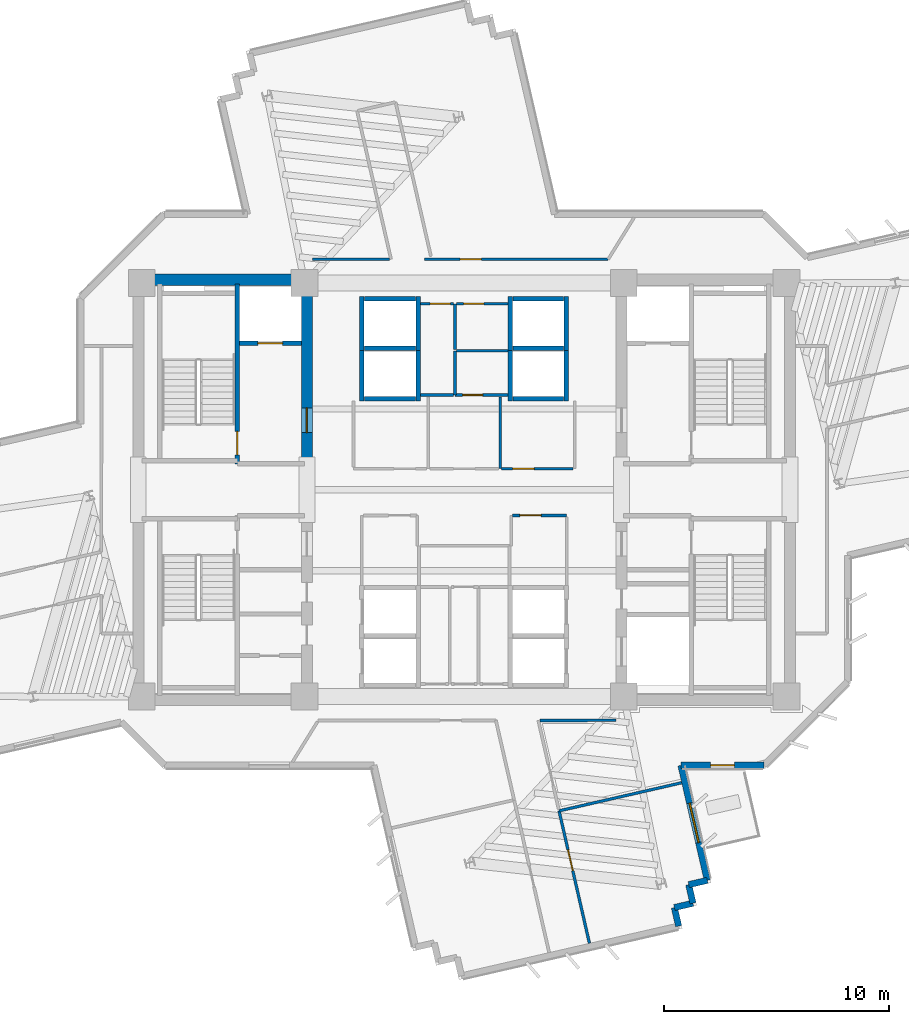
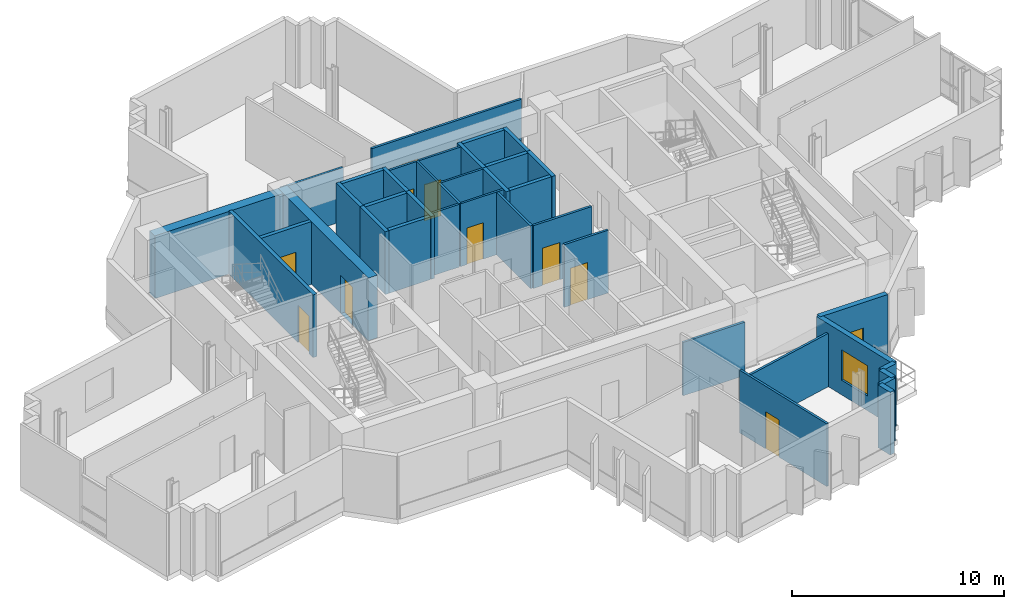
# One storey, part 8 of 13: 39 walls, 11 doors, 1 window, 12 openings.
"""IFC4 building model written with IfcOpenShell, lengths in metres."""

from ifc_helpers import new_model, si_unit, direction, frame, frame_2d, origin, place, context, subcontext, project, spatial, rectangle, extrude, source, transform, mapped, material, layer, layer_set, type_object, element, fill, save


model = new_model("IFC4")

# Units and contexts
model_context = context("Model", 3, precision=1e-05, world=origin(), true_north=direction((0.0, 1.0)))
body_context = subcontext(model_context, "Body", "Model", "MODEL_VIEW")
ifc_project = project(units=[si_unit("LENGTHUNIT", "METRE"), si_unit("AREAUNIT", "SQUARE_METRE"), si_unit("VOLUMEUNIT", "CUBIC_METRE"), si_unit("PLANEANGLEUNIT", "RADIAN"), si_unit("MASSUNIT", "GRAM", prefix="KILO")], contexts=[model_context])

# Site, building, storey
site_placement = place(None, origin())
site = spatial("IfcSite", under=ifc_project, at=site_placement, CompositionType="ELEMENT")
building_placement = place(site_placement, origin())
building = spatial("IfcBuilding", under=site, at=building_placement, Name="Zahravan Cultural Tower", CompositionType="ELEMENT")
storey_placement = place(building_placement, frame((0.0, 0.0, 178.5)))
storey = spatial("IfcBuildingStorey", under=building, at=storey_placement, Name="L41", CompositionType="ELEMENT", Elevation=178.5)

# Wall, opening, door
ifc_material_1 = material(Name="Concrete C60/75", Category="concrete")
ifc_layer_1 = layer(ifc_material_1, 0.5)
ifc_layer_set_1 = layer_set([ifc_layer_1], Name="Concrete C60/75")
wall_type_1 = type_object("IfcWallType", Name="CW-SHEAR-500-C60", PredefinedType="SHEAR", material=ifc_layer_set_1)
wall_1_placement = place(storey_placement, frame((29.0, 28.050048828125, 0.0), z_axis=(0.0, 0.0, 1.0), x_axis=(0.0, 1.0, 0.0)))
wall_1 = element("IfcWall", 1, at=wall_1_placement, inside=storey, type_object=wall_type_1, Name="L41 Core Shear Wall CW-W-EN-L41", PredefinedType="SHEAR", context=body_context, shape_type="SweptSolid", body=[
    extrude(rectangle(XDim=8.550048828125, YDim=0.5, at=frame_2d((4.27490234375, 0.0))), origin(), (0.0, 0.0, 1.0), 3.6201171875),
])
opening_1_placement = place(wall_1_placement, frame((1.5, 0.0, 0.0)))
opening_1 = element("IfcOpeningElement", 2, at=opening_1_placement, cuts=wall_1, Name="Opening D-L41-05", PredefinedType="OPENING", context=body_context, shape_type="SweptSolid", body=[
    extrude(rectangle(XDim=1.10009765625, YDim=2.199951171875, at=frame_2d((0.550048828125, 1.10009765625))), frame((0.0, 0.260009765625, 0.0), z_axis=(0.0, -1.0, 0.0), x_axis=(1.0, 0.0, 0.0)), (0.0, 0.0, 1.0), 0.52001953125),
])
ifc_material_2 = material(Name="Steel ASTM A572 Grade 50", Category="steel")
door_type_1 = type_object("IfcDoorType", Name="DR-LOBBY-1100", OperationType="NOTDEFINED", PredefinedType="DOOR", material=ifc_material_2)
shared_shape_1 = source(origin(), body_context, "Body", "SweptSolid", [
    extrude(rectangle(XDim=1.10009765625, YDim=2.199951171875, at=frame_2d((0.550048828125, 1.10009765625))), frame((0.0, 0.02490234375, 0.0), z_axis=(0.0, -1.0, 0.0), x_axis=(1.0, 0.0, 0.0)), (0.0, 0.0, 1.0), 0.050048828125),
])
door_1_placement = place(opening_1_placement, origin())
door_1 = element("IfcDoor", 3, at=door_1_placement, inside=storey, type_object=door_type_1, Name="L41 Door D-L41-05", OperationType="SINGLE_SWING_LEFT", OverallHeight=2.199951171875, OverallWidth=1.10009765625, PredefinedType="DOOR", context=body_context, shape_type="MappedRepresentation", body=[
    mapped(shared_shape_1, transform((0.0, 0.0, 0.0), x_axis=(1.0, 0.0, 0.0), y_axis=(0.0, 1.0, 0.0), z_axis=(0.0, 0.0, 1.0), scale=1.0)),
])
fill(opening_1, door_1)

ifc_material_3 = material(Name="Precast concrete C40/50", Category="concrete")
ifc_layer_2 = layer(ifc_material_3, 0.280029296875)
ifc_layer_set_2 = layer_set([ifc_layer_2], Name="Precast concrete C40/50")
wall_type_2 = type_object("IfcWallType", Name="EW-TC-280", PredefinedType="SOLIDWALL", material=ifc_layer_set_2)
wall_2_placement = place(storey_placement, frame((49.342041015625, 14.739990234375, 0.0), z_axis=(0.0, 0.0, 1.0), x_axis=(-1.0, 0.0, 0.0)))
wall_2 = element("IfcWall", 4, at=wall_2_placement, inside=storey, type_object=wall_type_2, Name="L41 Exterior Masonry Frame Wall 13", PredefinedType="SOLIDWALL", context=body_context, shape_type="SweptSolid", body=[
    extrude(rectangle(XDim=3.696533203125, YDim=0.280029296875, at=frame_2d((1.84814453125, 0.0))), origin(), (0.0, 0.0, 1.0), 3.6201171875),
])
opening_2_placement = place(wall_2_placement, frame((1.322998046875, 0.0, 0.0)))
opening_2 = element("IfcOpeningElement", 5, at=opening_2_placement, cuts=wall_2, Name="Opening D-L41-TR-SE", PredefinedType="OPENING", context=body_context, shape_type="SweptSolid", body=[
    extrude(rectangle(XDim=1.050048828125, YDim=2.14990234375, at=frame_2d((0.52490234375, 1.074951171875))), frame((0.0, 0.14990234375, 0.0), z_axis=(0.0, -1.0, 0.0), x_axis=(1.0, 0.0, 0.0)), (0.0, 0.0, 1.0), 0.300048828125),
])
ifc_material_4 = material(Name="Anodised bronze-aluminium mullion", Category="aluminium")
door_type_2 = type_object("IfcDoorType", Name="DR-TERR-1050", OperationType="NOTDEFINED", PredefinedType="DOOR", material=ifc_material_4)
shared_shape_2 = source(origin(), body_context, "Body", "SweptSolid", [
    extrude(rectangle(XDim=1.050048828125, YDim=2.14990234375, at=frame_2d((0.52490234375, 1.074951171875))), frame((0.0, 0.02490234375, 0.0), z_axis=(0.0, -1.0, 0.0), x_axis=(1.0, 0.0, 0.0)), (0.0, 0.0, 1.0), 0.050048828125),
])
door_2_placement = place(opening_2_placement, origin())
door_2 = element("IfcDoor", 6, at=door_2_placement, inside=storey, type_object=door_type_2, Name="L41 Terrace Access Door SE", OperationType="SINGLE_SWING_RIGHT", OverallHeight=2.14990234375, OverallWidth=1.050048828125, PredefinedType="DOOR", context=body_context, shape_type="MappedRepresentation", body=[
    mapped(shared_shape_2, transform((0.0, 0.0, 0.0), x_axis=(1.0, 0.0, 0.0), y_axis=(0.0, 1.0, 0.0), z_axis=(0.0, 0.0, 1.0), scale=1.0)),
])
fill(opening_2, door_2)

# Wall, opening, window
wall_3_placement = place(storey_placement, frame((45.6455078125, 14.739990234375, 0.0), z_axis=(0.0, 0.0, 1.0), x_axis=(0.223562871808, -0.974689510741, 0.0)))
wall_3 = element("IfcWall", 7, at=wall_3_placement, inside=storey, type_object=wall_type_2, Name="L41 Exterior Masonry Frame Wall 14", PredefinedType="SOLIDWALL", context=body_context, shape_type="SweptSolid", body=[
    extrude(rectangle(XDim=5.25390625, YDim=0.280029296875, at=frame_2d((2.626953125, 0.0))), origin(), (0.0, 0.0, 1.0), 3.6201171875),
])
opening_3_placement = place(wall_3_placement, frame((1.72705078125, 0.0, 0.85009765625)))
opening_3 = element("IfcOpeningElement", 8, at=opening_3_placement, cuts=wall_3, Name="Opening WN-02", PredefinedType="OPENING", context=body_context, shape_type="SweptSolid", body=[
    extrude(rectangle(XDim=1.800048828125, YDim=1.75, at=frame_2d((0.89990234375, 0.875))), frame((0.0, 0.14990234375, 0.0), z_axis=(0.0, -1.0, 0.0), x_axis=(1.0, 0.0, 0.0)), (0.0, 0.0, 1.0), 0.300048828125),
])
ifc_material_5 = material(Name="Low-E solar-control double glazing", Category="glass")
window_type = type_object("IfcWindowType", Name="WN-REC-1800X1750", PartitioningType="DOUBLE_PANEL_VERTICAL", PredefinedType="WINDOW", material=ifc_material_5)
shared_shape_3 = source(origin(), body_context, "Body", "SweptSolid", [
    extrude(rectangle(XDim=1.800048828125, YDim=1.75, at=frame_2d((0.89990234375, 0.875))), frame((0.0, 0.030029296875, 0.0), z_axis=(0.0, -1.0, 0.0), x_axis=(1.0, 0.0, 0.0)), (0.0, 0.0, 1.0), 0.06005859375),
])
window_placement = place(opening_3_placement, origin())
window = element("IfcWindow", 9, at=window_placement, inside=storey, type_object=window_type, Name="L41 Recessed Solar Window 04", OverallHeight=1.75, OverallWidth=1.800048828125, PartitioningType="DOUBLE_PANEL_VERTICAL", PredefinedType="WINDOW", context=body_context, shape_type="MappedRepresentation", body=[
    mapped(shared_shape_3, transform((0.0, 0.0, 0.0), x_axis=(1.0, 0.0, 0.0), y_axis=(0.0, 1.0, 0.0), z_axis=(0.0, 0.0, 1.0), scale=1.0)),
])
fill(opening_3, window)

# Wall, opening, door
ifc_material_6 = material(Name="Gypsum plasterboard partition")
ifc_layer_3 = layer(ifc_material_6, 0.125)
ifc_layer_set_3 = layer_set([ifc_layer_3], Name="Gypsum plasterboard partition")
wall_type_3 = type_object("IfcWallType", Name="W-PART-125", PredefinedType="PARTITIONING", material=ifc_layer_set_3)
wall_4_placement = place(storey_placement, frame((38.157470703125, 25.860107421875, 0.0), z_axis=(0.0, 0.0, 1.0), x_axis=(1.0, 0.0, 0.0)))
wall_4 = element("IfcWall", 10, at=wall_4_placement, inside=storey, type_object=wall_type_3, Name="L41 Interior Wall 079", PredefinedType="PARTITIONING", context=body_context, shape_type="SweptSolid", body=[
    extrude(rectangle(XDim=2.402587890625, YDim=0.125, at=frame_2d((1.201171875, 0.0))), origin(), (0.0, 0.0, 1.0), 3.6201171875),
])
opening_4_placement = place(wall_4_placement, frame((0.319580078125, 0.0, 0.0)))
opening_4 = element("IfcOpeningElement", 11, at=opening_4_placement, cuts=wall_4, Name="Opening D-L41-14", PredefinedType="OPENING", context=body_context, shape_type="SweptSolid", body=[
    extrude(rectangle(XDim=0.949951171875, YDim=2.14990234375, at=frame_2d((0.47509765625, 1.074951171875))), frame((0.0, 0.072509765625, 0.0), z_axis=(0.0, -1.0, 0.0), x_axis=(1.0, 0.0, 0.0)), (0.0, 0.0, 1.0), 0.14501953125),
])
door_type_3 = type_object("IfcDoorType", Name="DR-ROOM-950", OperationType="NOTDEFINED", PredefinedType="DOOR", material=ifc_material_4)
shared_shape_4 = source(origin(), body_context, "Body", "SweptSolid", [
    extrude(rectangle(XDim=0.949951171875, YDim=2.14990234375, at=frame_2d((0.47509765625, 1.074951171875))), frame((0.0, 0.02490234375, 0.0), z_axis=(0.0, -1.0, 0.0), x_axis=(1.0, 0.0, 0.0)), (0.0, 0.0, 1.0), 0.050048828125),
])
door_3_placement = place(opening_4_placement, origin())
door_3 = element("IfcDoor", 12, at=door_3_placement, inside=storey, type_object=door_type_3, Name="L41 Door D-L41-14", OperationType="SINGLE_SWING_RIGHT", OverallHeight=2.14990234375, OverallWidth=0.949951171875, PredefinedType="DOOR", context=body_context, shape_type="MappedRepresentation", body=[
    mapped(shared_shape_4, transform((0.0, 0.0, 0.0), x_axis=(1.0, 0.0, 0.0), y_axis=(0.0, 1.0, 0.0), z_axis=(0.0, 0.0, 1.0), scale=1.0)),
])
fill(opening_4, door_3)

wall_5_placement = place(storey_placement, frame((40.8525390625, 27.93994140625, 0.0), z_axis=(0.0, 0.0, 1.0), x_axis=(-1.0, 0.0, 0.0)))
wall_5 = element("IfcWall", 13, at=wall_5_placement, inside=storey, type_object=wall_type_3, Name="L41 Interior Wall 087", PredefinedType="PARTITIONING", context=body_context, shape_type="SweptSolid", body=[
    extrude(rectangle(XDim=3.18505859375, YDim=0.125, at=frame_2d((1.592529296875, 0.0))), origin(), (0.0, 0.0, 1.0), 3.6201171875),
])
opening_5_placement = place(wall_5_placement, frame((1.743408203125, 0.0, 0.0)))
opening_5 = element("IfcOpeningElement", 14, at=opening_5_placement, cuts=wall_5, Name="Opening D-L41-19", PredefinedType="OPENING", context=body_context, shape_type="SweptSolid", body=[
    extrude(rectangle(XDim=0.949951171875, YDim=2.14990234375, at=frame_2d((0.47509765625, 1.074951171875))), frame((0.0, 0.072509765625, 0.0), z_axis=(0.0, -1.0, 0.0), x_axis=(1.0, 0.0, 0.0)), (0.0, 0.0, 1.0), 0.14501953125),
])
door_4_placement = place(opening_5_placement, origin())
door_4 = element("IfcDoor", 15, at=door_4_placement, inside=storey, type_object=door_type_3, Name="L41 Door D-L41-19", OperationType="SINGLE_SWING_LEFT", OverallHeight=2.14990234375, OverallWidth=0.949951171875, PredefinedType="DOOR", context=body_context, shape_type="MappedRepresentation", body=[
    mapped(shared_shape_4, transform((0.0, 0.0, 0.0), x_axis=(1.0, 0.0, 0.0), y_axis=(0.0, 1.0, 0.0), z_axis=(0.0, 0.0, 1.0), scale=1.0)),
])
fill(opening_5, door_4)

wall_6_placement = place(storey_placement, frame((41.572998046875, 6.8203125, 0.0), z_axis=(0.0, 0.0, 1.0), x_axis=(-0.223588000718, 0.974683746625, 0.0)))
wall_6 = element("IfcWall", 16, at=wall_6_placement, inside=storey, type_object=wall_type_3, Name="L41 Interior Wall 093", PredefinedType="PARTITIONING", context=body_context, shape_type="SweptSolid", body=[
    extrude(rectangle(XDim=6.044921875, YDim=0.125, at=frame_2d((3.0224609375, 0.0))), origin(), (0.0, 0.0, 1.0), 3.6201171875),
])
opening_6_placement = place(wall_6_placement, frame((3.311767578125, 0.0, 0.0)))
opening_6 = element("IfcOpeningElement", 17, at=opening_6_placement, cuts=wall_6, Name="Opening D-L41-31", PredefinedType="OPENING", context=body_context, shape_type="SweptSolid", body=[
    extrude(rectangle(XDim=0.949951171875, YDim=2.14990234375, at=frame_2d((0.47509765625, 1.074951171875))), frame((0.0, 0.072509765625, 0.0), z_axis=(0.0, -1.0, 0.0), x_axis=(1.0, 0.0, 0.0)), (0.0, 0.0, 1.0), 0.14501953125),
])
door_5_placement = place(opening_6_placement, origin())
door_5 = element("IfcDoor", 18, at=door_5_placement, inside=storey, type_object=door_type_3, Name="L41 Door D-L41-31", OperationType="SINGLE_SWING_LEFT", OverallHeight=2.14990234375, OverallWidth=0.949951171875, PredefinedType="DOOR", context=body_context, shape_type="MappedRepresentation", body=[
    mapped(shared_shape_4, transform((0.0, 0.0, 0.0), x_axis=(1.0, 0.0, 0.0), y_axis=(0.0, 1.0, 0.0), z_axis=(0.0, 0.0, 1.0), scale=1.0)),
])
fill(opening_6, door_5)

wall_7_placement = place(storey_placement, frame((42.409423828125, 37.260009765625, 0.0), z_axis=(0.0, 0.0, 1.0), x_axis=(-1.0, 0.0, 0.0)))
wall_7 = element("IfcWall", 19, at=wall_7_placement, inside=storey, type_object=wall_type_3, Name="L41 Interior Wall 114", PredefinedType="PARTITIONING", context=body_context, shape_type="SweptSolid", body=[
    extrude(rectangle(XDim=8.185546875, YDim=0.125, at=frame_2d((4.0927734375, 0.0))), origin(), (0.0, 0.0, 1.0), 3.6201171875),
])
opening_7_placement = place(wall_7_placement, frame((5.643798828125, 0.0, 0.0)))
opening_7 = element("IfcOpeningElement", 20, at=opening_7_placement, cuts=wall_7, Name="Opening D-L41-25", PredefinedType="OPENING", context=body_context, shape_type="SweptSolid", body=[
    extrude(rectangle(XDim=0.949951171875, YDim=2.14990234375, at=frame_2d((0.47509765625, 1.074951171875))), frame((0.0, 0.072509765625, 0.0), z_axis=(0.0, -1.0, 0.0), x_axis=(1.0, 0.0, 0.0)), (0.0, 0.0, 1.0), 0.14501953125),
])
door_6_placement = place(opening_7_placement, origin())
door_6 = element("IfcDoor", 21, at=door_6_placement, inside=storey, type_object=door_type_3, Name="L41 Door D-L41-25", OperationType="SINGLE_SWING_LEFT", OverallHeight=2.14990234375, OverallWidth=0.949951171875, PredefinedType="DOOR", context=body_context, shape_type="MappedRepresentation", body=[
    mapped(shared_shape_4, transform((0.0, 0.0, 0.0), x_axis=(1.0, 0.0, 0.0), y_axis=(0.0, 1.0, 0.0), z_axis=(0.0, 0.0, 1.0), scale=1.0)),
])
fill(opening_7, door_6)

ifc_material_7 = material(Name="Concrete C45/55", Category="concrete")
ifc_layer_4 = layer(ifc_material_7, 0.199951171875)
ifc_layer_set_4 = layer_set([ifc_layer_4], Name="Concrete C45/55")
wall_type_4 = type_object("IfcWallType", Name="W-SHAFT-200", PredefinedType="SOLIDWALL", material=ifc_layer_set_4)
wall_8_placement = place(storey_placement, frame((25.89990234375, 28.14990234375, 0.0), z_axis=(0.0, 0.0, 1.0), x_axis=(0.0, 1.0, 0.0)))
wall_8 = element("IfcWall", 22, at=wall_8_placement, inside=storey, type_object=wall_type_4, Name="L41 Interior Wall 006", PredefinedType="SOLIDWALL", context=body_context, shape_type="SweptSolid", body=[
    extrude(rectangle(XDim=8.0, YDim=0.199951171875, at=frame_2d((4.0, 0.0))), origin(), (0.0, 0.0, 1.0), 3.6201171875),
])
opening_8_placement = place(wall_8_placement, frame((0.39990234375, 0.0, 0.0)))
opening_8 = element("IfcOpeningElement", 23, at=opening_8_placement, cuts=wall_8, Name="Opening D-L41-01", PredefinedType="OPENING", context=body_context, shape_type="SweptSolid", body=[
    extrude(rectangle(XDim=1.050048828125, YDim=2.14990234375, at=frame_2d((0.52490234375, 1.074951171875))), frame((0.0, 0.10986328125, 0.0), z_axis=(0.0, -1.0, 0.0), x_axis=(1.0, 0.0, 0.0)), (0.0, 0.0, 1.0), 0.219970703125),
])
door_type_4 = type_object("IfcDoorType", Name="DR-STAIR-1050", OperationType="NOTDEFINED", PredefinedType="DOOR", material=ifc_material_2)
door_7_placement = place(opening_8_placement, origin())
door_7 = element("IfcDoor", 24, at=door_7_placement, inside=storey, type_object=door_type_4, Name="L41 Door D-L41-01", OperationType="SINGLE_SWING_LEFT", OverallHeight=2.14990234375, OverallWidth=1.050048828125, PredefinedType="DOOR", context=body_context, shape_type="MappedRepresentation", body=[
    mapped(shared_shape_2, transform((0.0, 0.0, 0.0), x_axis=(1.0, 0.0, 0.0), y_axis=(0.0, 1.0, 0.0), z_axis=(0.0, 0.0, 1.0), scale=1.0)),
])
fill(opening_8, door_7)

wall_9_placement = place(storey_placement, frame((26.0, 33.52001953125, 0.0), z_axis=(0.0, 0.0, 1.0), x_axis=(1.0, 0.0, 0.0)))
wall_9 = element("IfcWall", 25, at=wall_9_placement, inside=storey, type_object=wall_type_4, Name="L41 Interior Wall 021", PredefinedType="SOLIDWALL", context=body_context, shape_type="SweptSolid", body=[
    extrude(rectangle(XDim=2.75, YDim=0.199951171875, at=frame_2d((1.375, 0.0))), origin(), (0.0, 0.0, 1.0), 3.6201171875),
])
opening_9_placement = place(wall_9_placement, frame((0.820068359375, 0.0, 0.0)))
opening_9 = element("IfcOpeningElement", 26, at=opening_9_placement, cuts=wall_9, Name="Opening LD-L41-01", PredefinedType="OPENING", context=body_context, shape_type="SweptSolid", body=[
    extrude(rectangle(XDim=1.10009765625, YDim=2.14990234375, at=frame_2d((0.550048828125, 1.074951171875))), frame((0.0, 0.10986328125, 0.0), z_axis=(0.0, -1.0, 0.0), x_axis=(1.0, 0.0, 0.0)), (0.0, 0.0, 1.0), 0.219970703125),
])
door_type_5 = type_object("IfcDoorType", Name="DR-LIFT-1100", OperationType="DOUBLE_DOOR_SLIDING", PredefinedType="DOOR", material=ifc_material_2)
shared_shape_5 = source(origin(), body_context, "Body", "SweptSolid", [
    extrude(rectangle(XDim=1.10009765625, YDim=2.14990234375, at=frame_2d((0.550048828125, 1.074951171875))), frame((0.0, 0.02490234375, 0.0), z_axis=(0.0, -1.0, 0.0), x_axis=(1.0, 0.0, 0.0)), (0.0, 0.0, 1.0), 0.050048828125),
])
door_8_placement = place(opening_9_placement, origin())
door_8 = element("IfcDoor", 27, at=door_8_placement, inside=storey, type_object=door_type_5, Name="L41 Door LD-L41-01", OperationType="DOUBLE_DOOR_SLIDING", OverallHeight=2.14990234375, OverallWidth=1.10009765625, PredefinedType="DOOR", context=body_context, shape_type="MappedRepresentation", body=[
    mapped(shared_shape_5, transform((0.0, 0.0, 0.0), x_axis=(1.0, 0.0, 0.0), y_axis=(0.0, 1.0, 0.0), z_axis=(0.0, 0.0, 1.0), scale=1.0)),
])
fill(opening_9, door_8)

ifc_layer_5 = layer(ifc_material_6, 0.114990234375)
ifc_layer_set_5 = layer_set([ifc_layer_5], Name="Gypsum plasterboard partition")
wall_type_5 = type_object("IfcWallType", Name="W-WC-115", PredefinedType="PARTITIONING", material=ifc_layer_set_5)
wall_10_placement = place(storey_placement, frame((37.945068359375, 31.219970703125, 0.0), z_axis=(0.0, 0.0, 1.0), x_axis=(-1.0, 0.0, 0.0)))
wall_10 = element("IfcWall", 28, at=wall_10_placement, inside=storey, type_object=wall_type_5, Name="L41 Interior Wall 057", PredefinedType="PARTITIONING", context=body_context, shape_type="SweptSolid", body=[
    extrude(rectangle(XDim=2.35498046875, YDim=0.114990234375, at=frame_2d((1.177490234375, 0.0))), origin(), (0.0, 0.0, 1.0), 3.6201171875),
])
opening_10_placement = place(wall_10_placement, frame((1.120849609375, 0.0, 0.0)))
opening_10 = element("IfcOpeningElement", 29, at=opening_10_placement, cuts=wall_10, Name="Opening D-L41-33", PredefinedType="OPENING", context=body_context, shape_type="SweptSolid", body=[
    extrude(rectangle(XDim=0.89990234375, YDim=2.10009765625, at=frame_2d((0.449951171875, 1.050048828125))), frame((0.0, 0.0673828125, 0.0), z_axis=(0.0, -1.0, 0.0), x_axis=(1.0, 0.0, 0.0)), (0.0, 0.0, 1.0), 0.135009765625),
])
door_type_6 = type_object("IfcDoorType", Name="DR-WC-900", OperationType="NOTDEFINED", PredefinedType="DOOR", material=ifc_material_4)
shared_shape_6 = source(origin(), body_context, "Body", "SweptSolid", [
    extrude(rectangle(XDim=0.89990234375, YDim=2.10009765625, at=frame_2d((0.449951171875, 1.050048828125))), frame((0.0, 0.02490234375, 0.0), z_axis=(0.0, -1.0, 0.0), x_axis=(1.0, 0.0, 0.0)), (0.0, 0.0, 1.0), 0.050048828125),
])
door_9_placement = place(opening_10_placement, origin())
door_9 = element("IfcDoor", 30, at=door_9_placement, inside=storey, type_object=door_type_6, Name="L41 Door D-L41-33", OperationType="SINGLE_SWING_LEFT", OverallHeight=2.10009765625, OverallWidth=0.89990234375, PredefinedType="DOOR", context=body_context, shape_type="MappedRepresentation", body=[
    mapped(shared_shape_6, transform((0.0, 0.0, 0.0), x_axis=(1.0, 0.0, 0.0), y_axis=(0.0, 1.0, 0.0), z_axis=(0.0, 0.0, 1.0), scale=1.0)),
])
fill(opening_10, door_9)

wall_11_placement = place(storey_placement, frame((35.652587890625, 35.280029296875, 0.0), z_axis=(0.0, 0.0, 1.0), x_axis=(1.0, 0.0, 0.0)))
wall_11 = element("IfcWall", 31, at=wall_11_placement, inside=storey, type_object=wall_type_5, Name="L41 Interior Wall 061", PredefinedType="PARTITIONING", context=body_context, shape_type="SweptSolid", body=[
    extrude(rectangle(XDim=2.29248046875, YDim=0.114990234375, at=frame_2d((1.146240234375, 0.0))), origin(), (0.0, 0.0, 1.0), 3.6201171875),
])
opening_11_placement = place(wall_11_placement, frame((0.3203125, 0.0, 0.0)))
opening_11 = element("IfcOpeningElement", 32, at=opening_11_placement, cuts=wall_11, Name="Opening D-L41-16", PredefinedType="OPENING", context=body_context, shape_type="SweptSolid", body=[
    extrude(rectangle(XDim=0.89990234375, YDim=2.10009765625, at=frame_2d((0.449951171875, 1.050048828125))), frame((0.0, 0.0673828125, 0.0), z_axis=(0.0, -1.0, 0.0), x_axis=(1.0, 0.0, 0.0)), (0.0, 0.0, 1.0), 0.135009765625),
])
door_10_placement = place(opening_11_placement, origin())
door_10 = element("IfcDoor", 33, at=door_10_placement, inside=storey, type_object=door_type_6, Name="L41 Door D-L41-16", OperationType="SINGLE_SWING_RIGHT", OverallHeight=2.10009765625, OverallWidth=0.89990234375, PredefinedType="DOOR", context=body_context, shape_type="MappedRepresentation", body=[
    mapped(shared_shape_6, transform((0.0, 0.0, 0.0), x_axis=(1.0, 0.0, 0.0), y_axis=(0.0, 1.0, 0.0), z_axis=(0.0, 0.0, 1.0), scale=1.0)),
])
fill(opening_11, door_10)

wall_12_placement = place(storey_placement, frame((34.054931640625, 35.280029296875, 0.0), z_axis=(0.0, 0.0, 1.0), x_axis=(1.0, 0.0, 0.0)))
wall_12 = element("IfcWall", 34, at=wall_12_placement, inside=storey, type_object=wall_type_5, Name="L41 Interior Wall 071", PredefinedType="PARTITIONING", context=body_context, shape_type="SweptSolid", body=[
    extrude(rectangle(XDim=1.47265625, YDim=0.114990234375, at=frame_2d((0.736328125, 0.0))), origin(), (0.0, 0.0, 1.0), 3.6201171875),
])
opening_12_placement = place(wall_12_placement, frame((0.4326171875, 0.0, 0.0)))
opening_12 = element("IfcOpeningElement", 35, at=opening_12_placement, cuts=wall_12, Name="Opening D-L41-15", PredefinedType="OPENING", context=body_context, shape_type="SweptSolid", body=[
    extrude(rectangle(XDim=0.89990234375, YDim=2.10009765625, at=frame_2d((0.449951171875, 1.050048828125))), frame((0.0, 0.0673828125, 0.0), z_axis=(0.0, -1.0, 0.0), x_axis=(1.0, 0.0, 0.0)), (0.0, 0.0, 1.0), 0.135009765625),
])
door_11_placement = place(opening_12_placement, origin())
door_11 = element("IfcDoor", 36, at=door_11_placement, inside=storey, type_object=door_type_6, Name="L41 Door D-L41-15", OperationType="SINGLE_SWING_LEFT", OverallHeight=2.10009765625, OverallWidth=0.89990234375, PredefinedType="DOOR", context=body_context, shape_type="MappedRepresentation", body=[
    mapped(shared_shape_6, transform((0.0, 0.0, 0.0), x_axis=(1.0, 0.0, 0.0), y_axis=(0.0, 1.0, 0.0), z_axis=(0.0, 0.0, 1.0), scale=1.0)),
])
fill(opening_12, door_11)

# Walls
shared_shape_7 = source(origin(), body_context, "Body", "SweptSolid", [
    extrude(rectangle(XDim=7.0, YDim=0.5, at=frame_2d((3.5, 0.0))), origin(), (0.0, 0.0, 1.0), 3.6201171875),
])
wall_13_placement = place(storey_placement, frame((21.75, 36.35009765625, 0.0), z_axis=(0.0, 0.0, 1.0), x_axis=(1.0, 0.0, 0.0)))
element("IfcWall", 37, at=wall_13_placement, inside=storey, type_object=wall_type_1, Name="L41 Core Shear Wall CW-W-N-L41", PredefinedType="SHEAR", context=body_context, shape_type="MappedRepresentation", body=[
    mapped(shared_shape_7, transform((0.0, 0.0, 0.0), x_axis=(1.0, 0.0, 0.0), y_axis=(0.0, 1.0, 0.0), z_axis=(0.0, 0.0, 1.0), scale=1.0)),
])
shared_shape_8 = source(origin(), body_context, "Body", "SweptSolid", [
    extrude(rectangle(XDim=0.85009765625, YDim=0.280029296875, at=frame_2d((0.425048828125, 0.0))), origin(), (0.0, 0.0, 1.0), 3.6201171875),
])
for number, where, z_axis, x_axis, name in (
    (38, (45.99169921875, 9.42919921875, 0.0), (0.0, 0.0, 1.0), (0.223433001597, -0.974719289743, 0.0), "L41 Exterior Masonry Frame Wall 16"),
    (39, (46.181640625, 8.6005859375, 0.0), (0.0, 0.0, 1.0), (-0.974719289743, -0.223433001597, 0.0), "L41 Exterior Masonry Frame Wall 17"),
):
    element("IfcWall", number, at=place(storey_placement, frame(where, z_axis=z_axis, x_axis=x_axis)), inside=storey, type_object=wall_type_2, Name=name, PredefinedType="SOLIDWALL", context=body_context, shape_type="MappedRepresentation", body=[
        mapped(shared_shape_8, transform((0.0, 0.0, 0.0), x_axis=(1.0, 0.0, 0.0), y_axis=(0.0, 1.0, 0.0), z_axis=(0.0, 0.0, 1.0), scale=1.0)),
    ])
shared_shape_9 = source(origin(), body_context, "Body", "SweptSolid", [
    extrude(rectangle(XDim=0.849853515625, YDim=0.280029296875, at=frame_2d((0.4248046875, 0.0))), origin(), (0.0, 0.0, 1.0), 3.6201171875),
])
for number, where, z_axis, x_axis, name in (
    (40, (46.820068359375, 9.619140625, 0.0), (0.0, 0.0, 1.0), (-0.974704946586, -0.223495563939, 0.0), "L41 Exterior Masonry Frame Wall 15"),
    (41, (45.35302734375, 8.41064453125, 0.0), (0.0, 0.0, 1.0), (0.223768457828, -0.974642333003, 0.0), "L41 Exterior Masonry Frame Wall 18"),
):
    element("IfcWall", number, at=place(storey_placement, frame(where, z_axis=z_axis, x_axis=x_axis)), inside=storey, type_object=wall_type_2, Name=name, PredefinedType="SOLIDWALL", context=body_context, shape_type="MappedRepresentation", body=[
        mapped(shared_shape_9, transform((0.0, 0.0, 0.0), x_axis=(1.0, 0.0, 0.0), y_axis=(0.0, 1.0, 0.0), z_axis=(0.0, 0.0, 1.0), scale=1.0)),
    ])
shared_shape_10 = source(origin(), body_context, "Body", "SweptSolid", [
    extrude(rectangle(XDim=2.400146484375, YDim=0.199951171875, at=frame_2d((1.2001953125, 0.0))), origin(), (0.0, 0.0, 1.0), 3.6201171875),
])
for number, where, z_axis, x_axis, name in (
    (42, (31.449951171875, 33.199951171875, 0.0), (0.0, 0.0, 1.0), (0.0, 1.0, 0.0), "L41 Interior Wall 029"),
    (43, (33.949951171875, 33.199951171875, 0.0), (0.0, 0.0, 1.0), (0.0, 1.0, 0.0), "L41 Interior Wall 030"),
    (44, (31.449951171875, 30.949951171875, 0.0), (0.0, 0.0, 1.0), (0.0, 1.0, 0.0), "L41 Interior Wall 033"),
    (45, (33.949951171875, 30.949951171875, 0.0), (0.0, 0.0, 1.0), (0.0, 1.0, 0.0), "L41 Interior Wall 034"),
    (46, (38.050048828125, 33.199951171875, 0.0), (0.0, 0.0, 1.0), (0.0, 1.0, 0.0), "L41 Interior Wall 036"),
    (47, (40.550048828125, 33.199951171875, 0.0), (0.0, 0.0, 1.0), (0.0, 1.0, 0.0), "L41 Interior Wall 037"),
    (48, (38.050048828125, 30.949951171875, 0.0), (0.0, 0.0, 1.0), (0.0, 1.0, 0.0), "L41 Interior Wall 040"),
    (49, (40.550048828125, 30.949951171875, 0.0), (0.0, 0.0, 1.0), (0.0, 1.0, 0.0), "L41 Interior Wall 041"),
):
    element("IfcWall", number, at=place(storey_placement, frame(where, z_axis=z_axis, x_axis=x_axis)), inside=storey, type_object=wall_type_4, Name=name, PredefinedType="SOLIDWALL", context=body_context, shape_type="MappedRepresentation", body=[
        mapped(shared_shape_10, transform((0.0, 0.0, 0.0), x_axis=(1.0, 0.0, 0.0), y_axis=(0.0, 1.0, 0.0), z_axis=(0.0, 0.0, 1.0), scale=1.0)),
    ])
shared_shape_11 = source(origin(), body_context, "Body", "SweptSolid", [
    extrude(rectangle(XDim=2.260009765625, YDim=0.199951171875, at=frame_2d((1.1298828125, 0.0))), origin(), (0.0, 0.0, 1.0), 3.6201171875),
])
for number, where, z_axis, x_axis, name in (
    (50, (31.570068359375, 33.300048828125, 0.0), (0.0, 0.0, 1.0), (1.0, 0.0, 0.0), "L41 Interior Wall 031"),
    (51, (31.570068359375, 35.5, 0.0), (0.0, 0.0, 1.0), (1.0, 0.0, 0.0), "L41 Interior Wall 032"),
    (52, (31.570068359375, 31.050048828125, 0.0), (0.0, 0.0, 1.0), (1.0, 0.0, 0.0), "L41 Interior Wall 035"),
    (53, (38.169921875, 33.300048828125, 0.0), (0.0, 0.0, 1.0), (1.0, 0.0, 0.0), "L41 Interior Wall 038"),
    (54, (38.169921875, 35.5, 0.0), (0.0, 0.0, 1.0), (1.0, 0.0, 0.0), "L41 Interior Wall 039"),
    (55, (38.169921875, 31.050048828125, 0.0), (0.0, 0.0, 1.0), (1.0, 0.0, 0.0), "L41 Interior Wall 042"),
):
    element("IfcWall", number, at=place(storey_placement, frame(where, z_axis=z_axis, x_axis=x_axis)), inside=storey, type_object=wall_type_4, Name=name, PredefinedType="SOLIDWALL", context=body_context, shape_type="MappedRepresentation", body=[
        mapped(shared_shape_11, transform((0.0, 0.0, 0.0), x_axis=(1.0, 0.0, 0.0), y_axis=(0.0, 1.0, 0.0), z_axis=(0.0, 0.0, 1.0), scale=1.0)),
    ])
shared_shape_12 = source(origin(), body_context, "Body", "SweptSolid", [
    extrude(rectangle(XDim=1.9599609375, YDim=0.114990234375, at=frame_2d((0.97998046875, 0.0))), origin(), (0.0, 0.0, 1.0), 3.6201171875),
])
wall_14_placement = place(storey_placement, frame((35.590087890625, 31.219970703125, 0.0), z_axis=(0.0, 0.0, 1.0), x_axis=(0.0, 1.0, 0.0)))
element("IfcWall", 56, at=wall_14_placement, inside=storey, type_object=wall_type_5, Name="L41 Interior Wall 058", PredefinedType="PARTITIONING", context=body_context, shape_type="MappedRepresentation", body=[
    mapped(shared_shape_12, transform((0.0, 0.0, 0.0), x_axis=(1.0, 0.0, 0.0), y_axis=(0.0, 1.0, 0.0), z_axis=(0.0, 0.0, 1.0), scale=1.0)),
])
shared_shape_13 = source(origin(), body_context, "Body", "SweptSolid", [
    extrude(rectangle(XDim=2.29248046875, YDim=0.114990234375, at=frame_2d((1.146240234375, 0.0))), origin(), (0.0, 0.0, 1.0), 3.6201171875),
])
wall_15_placement = place(storey_placement, frame((35.652587890625, 33.179931640625, 0.0), z_axis=(0.0, 0.0, 1.0), x_axis=(1.0, 0.0, 0.0)))
element("IfcWall", 57, at=wall_15_placement, inside=storey, type_object=wall_type_5, Name="L41 Interior Wall 059", PredefinedType="PARTITIONING", context=body_context, shape_type="MappedRepresentation", body=[
    mapped(shared_shape_13, transform((0.0, 0.0, 0.0), x_axis=(1.0, 0.0, 0.0), y_axis=(0.0, 1.0, 0.0), z_axis=(0.0, 0.0, 1.0), scale=1.0)),
])
shared_shape_14 = source(origin(), body_context, "Body", "SweptSolid", [
    extrude(rectangle(XDim=2.0400390625, YDim=0.114990234375, at=frame_2d((1.02001953125, 0.0))), origin(), (0.0, 0.0, 1.0), 3.6201171875),
])
wall_16_placement = place(storey_placement, frame((35.590087890625, 33.239990234375, 0.0), z_axis=(0.0, 0.0, 1.0), x_axis=(0.0, 1.0, 0.0)))
element("IfcWall", 58, at=wall_16_placement, inside=storey, type_object=wall_type_5, Name="L41 Interior Wall 060", PredefinedType="PARTITIONING", context=body_context, shape_type="MappedRepresentation", body=[
    mapped(shared_shape_14, transform((0.0, 0.0, 0.0), x_axis=(1.0, 0.0, 0.0), y_axis=(0.0, 1.0, 0.0), z_axis=(0.0, 0.0, 1.0), scale=1.0)),
])
shared_shape_15 = source(origin(), body_context, "Body", "SweptSolid", [
    extrude(rectangle(XDim=1.47265625, YDim=0.114990234375, at=frame_2d((0.736328125, 0.0))), origin(), (0.0, 0.0, 1.0), 3.6201171875),
])
wall_17_placement = place(storey_placement, frame((35.527587890625, 31.219970703125, 0.0), z_axis=(0.0, 0.0, 1.0), x_axis=(-1.0, 0.0, 0.0)))
element("IfcWall", 59, at=wall_17_placement, inside=storey, type_object=wall_type_5, Name="L41 Interior Wall 070", PredefinedType="PARTITIONING", context=body_context, shape_type="MappedRepresentation", body=[
    mapped(shared_shape_15, transform((0.0, 0.0, 0.0), x_axis=(1.0, 0.0, 0.0), y_axis=(0.0, 1.0, 0.0), z_axis=(0.0, 0.0, 1.0), scale=1.0)),
])
shared_shape_16 = source(origin(), body_context, "Body", "SweptSolid", [
    extrude(rectangle(XDim=3.199951171875, YDim=0.125, at=frame_2d((1.60009765625, 0.0))), origin(), (0.0, 0.0, 1.0), 3.6201171875),
])
wall_18_placement = place(storey_placement, frame((37.60009765625, 31.139892578125, 0.0), z_axis=(0.0, 0.0, 1.0), x_axis=(0.0, -1.0, 0.0)))
element("IfcWall", 60, at=wall_18_placement, inside=storey, type_object=wall_type_3, Name="L41 Interior Wall 082", PredefinedType="PARTITIONING", context=body_context, shape_type="MappedRepresentation", body=[
    mapped(shared_shape_16, transform((0.0, 0.0, 0.0), x_axis=(1.0, 0.0, 0.0), y_axis=(0.0, 1.0, 0.0), z_axis=(0.0, 0.0, 1.0), scale=1.0)),
])
shared_shape_17 = source(origin(), body_context, "Body", "SweptSolid", [
    extrude(rectangle(XDim=5.594970703125, YDim=0.125, at=frame_2d((2.79736328125, 0.0))), origin(), (0.0, 0.0, 1.0), 3.0791015625),
])
wall_19_placement = place(storey_placement, frame((40.221435546875, 12.712158203125, 0.0), z_axis=(0.0, 0.0, 1.0), x_axis=(0.974683801791, 0.223587760235, 0.0)))
element("IfcWall", 61, at=wall_19_placement, inside=storey, type_object=wall_type_3, Name="L41 Interior Wall 092", PredefinedType="PARTITIONING", context=body_context, shape_type="MappedRepresentation", body=[
    mapped(shared_shape_17, transform((0.0, 0.0, 0.0), x_axis=(1.0, 0.0, 0.0), y_axis=(0.0, 1.0, 0.0), z_axis=(0.0, 0.0, 1.0), scale=1.0)),
])
shared_shape_18 = source(origin(), body_context, "Body", "SweptSolid", [
    extrude(rectangle(XDim=3.3798828125, YDim=0.125, at=frame_2d((1.68994140625, 0.0))), origin(), (0.0, 0.0, 1.0), 3.0791015625),
])
wall_20_placement = place(storey_placement, frame((39.36669921875, 16.739990234375, 0.0), z_axis=(0.0, 0.0, 1.0), x_axis=(0.999999934779, 0.000361167269, 0.0)))
element("IfcWall", 62, at=wall_20_placement, inside=storey, type_object=wall_type_3, Name="L41 Interior Wall 095", PredefinedType="PARTITIONING", context=body_context, shape_type="MappedRepresentation", body=[
    mapped(shared_shape_18, transform((0.0, 0.0, 0.0), x_axis=(1.0, 0.0, 0.0), y_axis=(0.0, 1.0, 0.0), z_axis=(0.0, 0.0, 1.0), scale=1.0)),
])
shared_shape_19 = source(origin(), body_context, "Body", "SweptSolid", [
    extrude(rectangle(XDim=3.41943359375, YDim=0.125, at=frame_2d((1.709716796875, 0.0))), origin(), (0.0, 0.0, 1.0), 3.0791015625),
])
wall_21_placement = place(storey_placement, frame((32.67431640625, 37.260009765625, 0.0), z_axis=(0.0, 0.0, 1.0), x_axis=(-0.999999936279, -0.000356989839, 0.0)))
element("IfcWall", 63, at=wall_21_placement, inside=storey, type_object=wall_type_3, Name="L41 Interior Wall 113", PredefinedType="PARTITIONING", context=body_context, shape_type="MappedRepresentation", body=[
    mapped(shared_shape_19, transform((0.0, 0.0, 0.0), x_axis=(1.0, 0.0, 0.0), y_axis=(0.0, 1.0, 0.0), z_axis=(0.0, 0.0, 1.0), scale=1.0)),
])

save(model, "model.ifc")
